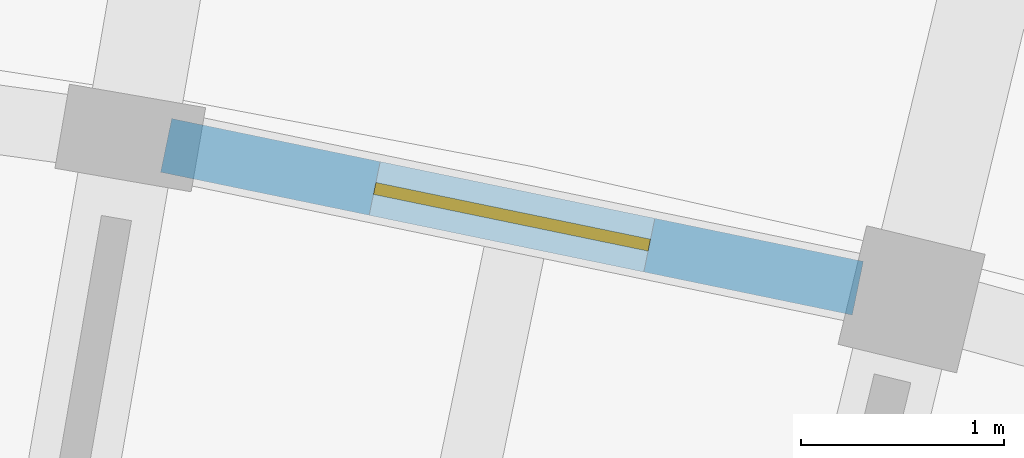
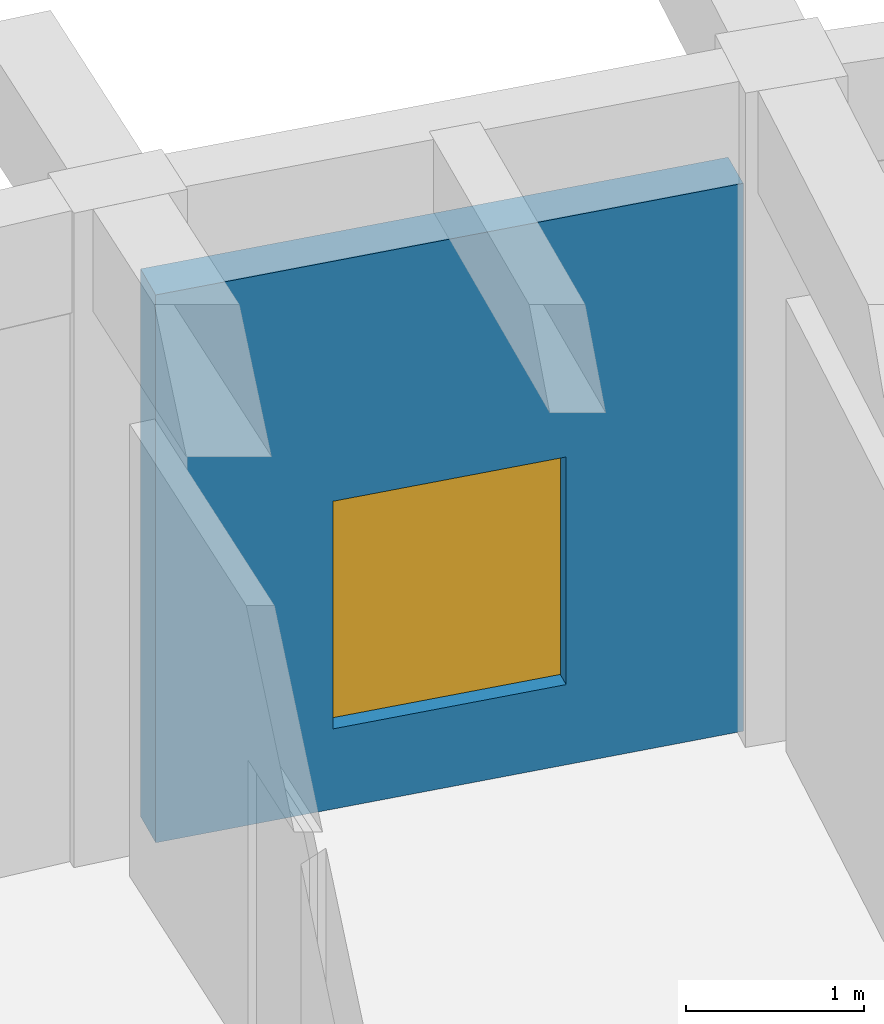
# One storey, part 100 of 132: 1 wall, 1 window, 1 opening.
"""IFC4 building model written with IfcOpenShell, lengths in metres."""

import ifcopenshell
import ifcopenshell.guid

model = None  # the IFC model being written
_history = None  # IfcOwnerHistory: only IFC2X3 demands one
_inside = {}  # id of a spatial element -> (the spatial element, [elements in it])
_under = {}  # id of a project, library or spatial element -> (it, [spatial elements below it])
_declared = {}  # id of a project -> (the project, [libraries it declares])
_typed = {}  # id of a type object -> (the type object, [elements of that type])
_made_of = {}  # id of a material, layer set ... -> (it, [elements and type objects made of it])


def new_model(schema):
    """Start an empty IFC model of exactly this schema.

    Asked for "IFC4X3", IfcOpenShell would pick the latest addendum, in which some entities
    have other attributes; the version numbers below select the first issue.
    IFC2X3 requires an IfcOwnerHistory on every rooted entity: one is made here for all.
    """
    global model, _history
    if schema == "IFC4X3":
        model = ifcopenshell.file(schema_version=(4, 3, 0, 0))
    else:
        model = ifcopenshell.file(schema=schema)
    _inside.clear()
    _under.clear()
    _declared.clear()
    _typed.clear()
    _made_of.clear()
    _history = None
    if model.schema == "IFC2X3":
        org = make("IfcOrganization", Name="unknown")
        user = make(
            "IfcPersonAndOrganization",
            ThePerson=make("IfcPerson", FamilyName="unknown"),
            TheOrganization=org,
        )
        app = make(
            "IfcApplication",
            ApplicationDeveloper=org,
            Version="unknown",
            ApplicationFullName="unknown",
            ApplicationIdentifier="unknown",
        )
        _history = make(
            "IfcOwnerHistory",
            OwningUser=user,
            OwningApplication=app,
            ChangeAction="ADDED",
            CreationDate=0,
        )
    return model


def make(cls, **values):
    """One entity of the class cls with the attributes given. An attribute that is None is left unset."""
    return model.create_entity(
        cls, **{name: value for name, value in values.items() if value is not None}
    )


def rooted(cls, **values):
    """An entity with a GlobalId (a new one), such as an element, a storey or a relation."""
    return make(cls, GlobalId=ifcopenshell.guid.new(), OwnerHistory=_history, **values)


def si_unit(unit_type, name, prefix=None):
    """IfcSIUnit, for example si_unit("LENGTHUNIT", "METRE", prefix="MILLI")."""
    return make("IfcSIUnit", UnitType=unit_type, Prefix=prefix, Name=name)


def assignment(units):
    """IfcUnitAssignment: the units of a project."""
    return None if units is None else make("IfcUnitAssignment", Units=units)


def point(xyz):
    """IfcCartesianPoint."""
    return None if xyz is None else make("IfcCartesianPoint", Coordinates=xyz)


def direction(xyz):
    """IfcDirection."""
    return None if xyz is None else make("IfcDirection", DirectionRatios=xyz)


def frame(location, z_axis=None, x_axis=None):
    """IfcAxis2Placement3D, a coordinate frame: its origin and axes. An axis left out is left unset."""
    return make(
        "IfcAxis2Placement3D",
        Location=point(location),
        Axis=direction(z_axis),
        RefDirection=direction(x_axis),
    )


def frame_2d(location, x_axis=None):
    """IfcAxis2Placement2D, a coordinate frame in the plane: its origin and x axis."""
    return make(
        "IfcAxis2Placement2D", Location=point(location), RefDirection=direction(x_axis)
    )


def origin():
    """The frame at (0, 0, 0) with its axes left unset."""
    return frame((0.0, 0.0, 0.0))


def place(relative_to, where):
    """IfcLocalPlacement: puts the frame where relative to a parent placement (None: the world)."""
    return make(
        "IfcLocalPlacement", PlacementRelTo=relative_to, RelativePlacement=where
    )


def context(
    kind, dimensions, precision=None, world=None, true_north=None, identifier=None
):
    """IfcGeometricRepresentationContext, for example the 3D "Model" context."""
    return make(
        "IfcGeometricRepresentationContext",
        ContextIdentifier=identifier,
        ContextType=kind,
        CoordinateSpaceDimension=dimensions,
        Precision=precision,
        WorldCoordinateSystem=world,
        TrueNorth=true_north,
    )


def subcontext(parent, identifier, kind, view, scale=None):
    """IfcGeometricRepresentationSubContext, for example "Body" below "Model"."""
    return make(
        "IfcGeometricRepresentationSubContext",
        ContextIdentifier=identifier,
        ContextType=kind,
        ParentContext=parent,
        TargetScale=scale,
        TargetView=view,
    )


def project(units=None, contexts=None):
    """IfcProject with its units and contexts."""
    return rooted(
        "IfcProject",
        Name="project",
        RepresentationContexts=contexts,
        UnitsInContext=assignment(units),
    )


def spatial(cls, under=None, at=None, **own):
    """A site, building, storey or space (cls), placed at a placement, below another one or the project."""
    s = rooted(cls, ObjectPlacement=at, **own)
    if under is not None:
        _under.setdefault(under.id(), (under, []))[1].append(s)
    return s


def profile(cls, at=None, kind="AREA", **sizes):
    """A parametric profile (cls). Its sizes go by their IFC names, for example OverallWidth=200.0."""
    return make(cls, ProfileType=kind, Position=at, **sizes)


def rectangle(**sizes):
    """IfcRectangleProfileDef."""
    return profile("IfcRectangleProfileDef", **sizes)


def extrude(swept, where, along, depth):
    """IfcExtrudedAreaSolid: the profile swept, set in the frame where, extruded along a direction by depth."""
    return make(
        "IfcExtrudedAreaSolid",
        SweptArea=swept,
        Position=where,
        ExtrudedDirection=direction(along),
        Depth=depth,
    )


def shape(context_of_items, identifier, shape_type, items):
    """IfcShapeRepresentation: the items that make up one representation, for example the "Body"."""
    return make(
        "IfcShapeRepresentation",
        ContextOfItems=context_of_items,
        RepresentationIdentifier=identifier,
        RepresentationType=shape_type,
        Items=items,
    )


def material(Name=None, Category=None):
    """IfcMaterial."""
    return make("IfcMaterial", Name=Name, Category=Category)


def layer(
    of_material, thickness, ventilated=None, Name=None, Category=None, Priority=None
):
    """IfcMaterialLayer: one layer of a wall or slab, of a material (None: an air gap)."""
    return make(
        "IfcMaterialLayer",
        Material=of_material,
        LayerThickness=thickness,
        IsVentilated=ventilated,
        Name=Name,
        Category=Category,
        Priority=Priority,
    )


def layer_set(layers, Name=None):
    """IfcMaterialLayerSet."""
    return make("IfcMaterialLayerSet", MaterialLayers=layers, LayerSetName=Name)


def made_of(thing, what):
    """Note that an element or type object is made of a material, layer set ...; save() writes the relation."""
    if what is not None:
        _made_of.setdefault(what.id(), (what, []))[1].append(thing)
    return thing


def type_object(cls, material=None, **own):
    """A type object (cls), such as IfcWallType, which elements share."""
    return made_of(rooted(cls, **own), material)


def element(
    cls,
    number,
    at=None,
    inside=None,
    cuts=None,
    type_object=None,
    material=None,
    context=None,
    identifier="Body",
    shape_type=None,
    held_by="IfcProductDefinitionShape",
    body=None,
    shapes=None,
    **own,
):
    """One element of the class cls, such as IfcWall. Its Tag is "e" and its number.

    at: its placement. inside: the storey or other place that contains it. cuts: it is an
    opening in that element (IfcRelVoidsElement). A single representation is given by context,
    identifier, shape_type and body (its items); several are given by shapes. held_by: the class
    of the entity that holds the representations. save() writes the other relations.
    """
    e = rooted(cls, Tag="e%d" % number, ObjectPlacement=at, **own)
    if body is not None:
        shapes = [shape(context, identifier, shape_type, body)]
    if shapes is not None:
        e.Representation = make(held_by, Representations=shapes)
    if inside is not None:
        _inside.setdefault(inside.id(), (inside, []))[1].append(e)
    if cuts is not None:
        rooted(
            "IfcRelVoidsElement", RelatingBuildingElement=cuts, RelatedOpeningElement=e
        )
    if type_object is not None:
        _typed.setdefault(type_object.id(), (type_object, []))[1].append(e)
    return made_of(e, material)


def fill(opening, filler):
    """IfcRelFillsElement: the door or window that sits in an opening."""
    return rooted(
        "IfcRelFillsElement",
        RelatingOpeningElement=opening,
        RelatedBuildingElement=filler,
    )


def aggregate(whole, parts):
    """IfcRelAggregates: a whole, such as a stair, and the parts it consists of."""
    return rooted("IfcRelAggregates", RelatingObject=whole, RelatedObjects=parts)


def save(model, path):
    """Write the relations noted so far, then the file.

    IfcRelAggregates (storeys below a building ...), IfcRelContainedInSpatialStructure (elements
    in a storey), IfcRelDefinesByType, IfcRelAssociatesMaterial and IfcRelDeclares: one each for
    every whole, place, type object, material and project.
    """
    for whole, parts in _under.values():
        aggregate(whole, parts)
    for where, things in _inside.values():
        rooted(
            "IfcRelContainedInSpatialStructure",
            RelatedElements=things,
            RelatingStructure=where,
        )
    for kind, things in _typed.values():
        rooted("IfcRelDefinesByType", RelatedObjects=things, RelatingType=kind)
    for what, things in _made_of.values():
        rooted("IfcRelAssociatesMaterial", RelatedObjects=things, RelatingMaterial=what)
    for by, libraries in _declared.values():
        rooted("IfcRelDeclares", RelatingContext=by, RelatedDefinitions=libraries)
    model.write(path)


model = new_model("IFC4")

# Units and contexts
model_context = context("Model", 3, precision=1e-05, world=origin(), true_north=direction((0.0, 1.0)))
body_context = subcontext(model_context, "Body", "Model", "MODEL_VIEW")
ifc_project = project(units=[si_unit("LENGTHUNIT", "METRE"), si_unit("AREAUNIT", "SQUARE_METRE"), si_unit("VOLUMEUNIT", "CUBIC_METRE"), si_unit("PLANEANGLEUNIT", "RADIAN"), si_unit("MASSUNIT", "GRAM", prefix="KILO")], contexts=[model_context])

# Site, building, storey
site_placement = place(None, origin())
site = spatial("IfcSite", under=ifc_project, at=site_placement, CompositionType="ELEMENT")
building_placement = place(site_placement, origin())
building = spatial("IfcBuilding", under=site, at=building_placement, Name="Tanwirah Colonnade Gardens", CompositionType="ELEMENT")
storey_placement = place(building_placement, origin())
storey = spatial("IfcBuildingStorey", under=building, at=storey_placement, Name="L00", CompositionType="ELEMENT", Elevation=0.0)

# Wall, opening, window
ifc_material_1 = material(Name="Limestone architectural precast concrete C40/50", Category="masonry")
ifc_layer = layer(ifc_material_1, 0.27001953125)
ifc_layer_set = layer_set([ifc_layer], Name="Limestone architectural precast concrete C40/50")
wall_type = type_object("IfcWallType", Name="EW-PC270", PredefinedType="SOLIDWALL", material=ifc_layer_set)
wall_placement = place(storey_placement, frame((134.693359375, 118.145751953125, 0.0), z_axis=(0.0, 0.0, 1.0), x_axis=(-0.979337720299, 0.202231623637, 0.0)))
wall = element("IfcWall", 1, at=wall_placement, inside=storey, type_object=wall_type, Name="Block B L00 OUT Precast Facade Wall 16", PredefinedType="SOLIDWALL", context=body_context, shape_type="SweptSolid", body=[
    extrude(rectangle(XDim=3.4755859375, YDim=0.27001953125, at=frame_2d((1.73779296875, 0.0))), origin(), (0.0, 0.0, 1.0), 3.7548828125),
])
opening_placement = place(wall_placement, frame((1.0478515625, 0.0, 0.550048828125)))
opening = element("IfcOpeningElement", 2, at=opening_placement, cuts=wall, Name="Opening WIN-T18", PredefinedType="OPENING", context=body_context, shape_type="SweptSolid", body=[
    extrude(rectangle(XDim=1.3798828125, YDim=1.56005859375, at=frame_2d((0.68994140625, 0.780029296875))), frame((0.0, 0.14501953125, 0.0), z_axis=(0.0, -1.0, 0.0), x_axis=(1.0, 0.0, 0.0)), (0.0, 0.0, 1.0), 0.2900390625),
])
ifc_material_2 = material(Name="Thermally broken bronze aluminium and solar low-E double glazing", Category="aluminium")
window_type = type_object("IfcWindowType", Name="WIN-T18", PartitioningType="DOUBLE_PANEL_VERTICAL", PredefinedType="WINDOW", material=ifc_material_2)
window_placement = place(opening_placement, origin())
window = element("IfcWindow", 3, at=window_placement, inside=storey, type_object=window_type, Name="Facade window B-L00-OUT-16", OverallHeight=1.56005859375, OverallWidth=1.3798828125, PartitioningType="SINGLE_PANEL", PredefinedType="WINDOW", context=body_context, shape_type="SweptSolid", body=[
    extrude(rectangle(XDim=1.3798828125, YDim=1.56005859375, at=frame_2d((0.68994140625, 0.780029296875))), frame((0.0, 0.030029296875, 0.0), z_axis=(0.0, -1.0, 0.0), x_axis=(1.0, 0.0, 0.0)), (0.0, 0.0, 1.0), 0.06005859375),
])
fill(opening, window)

save(model, "model.ifc")
